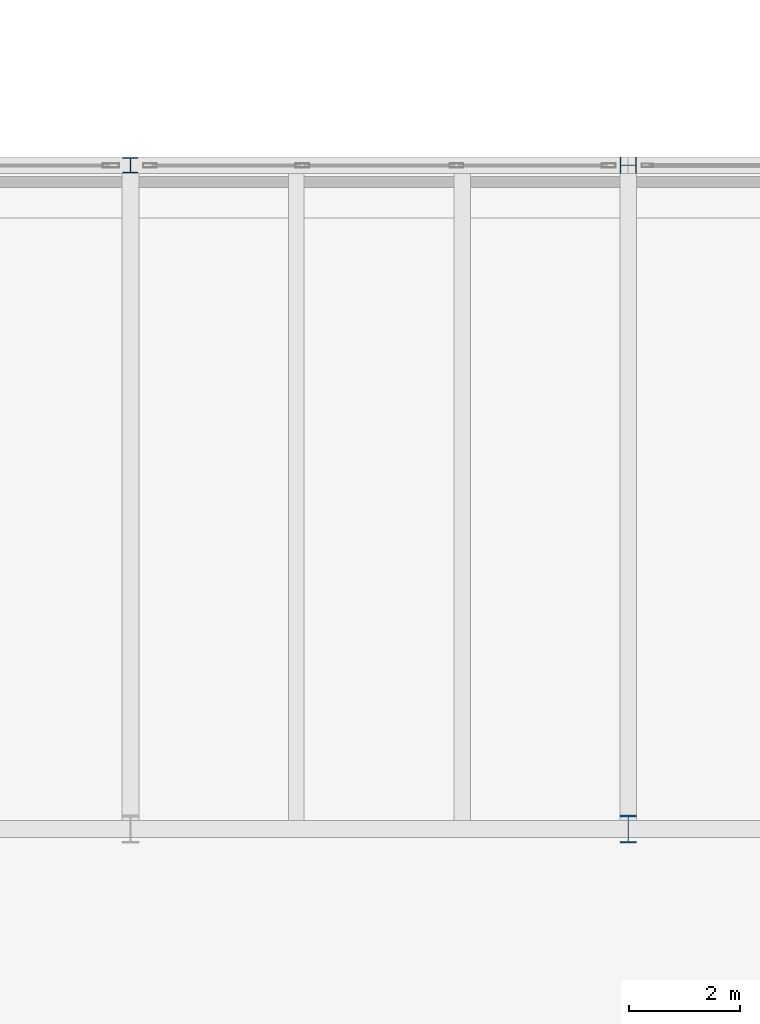
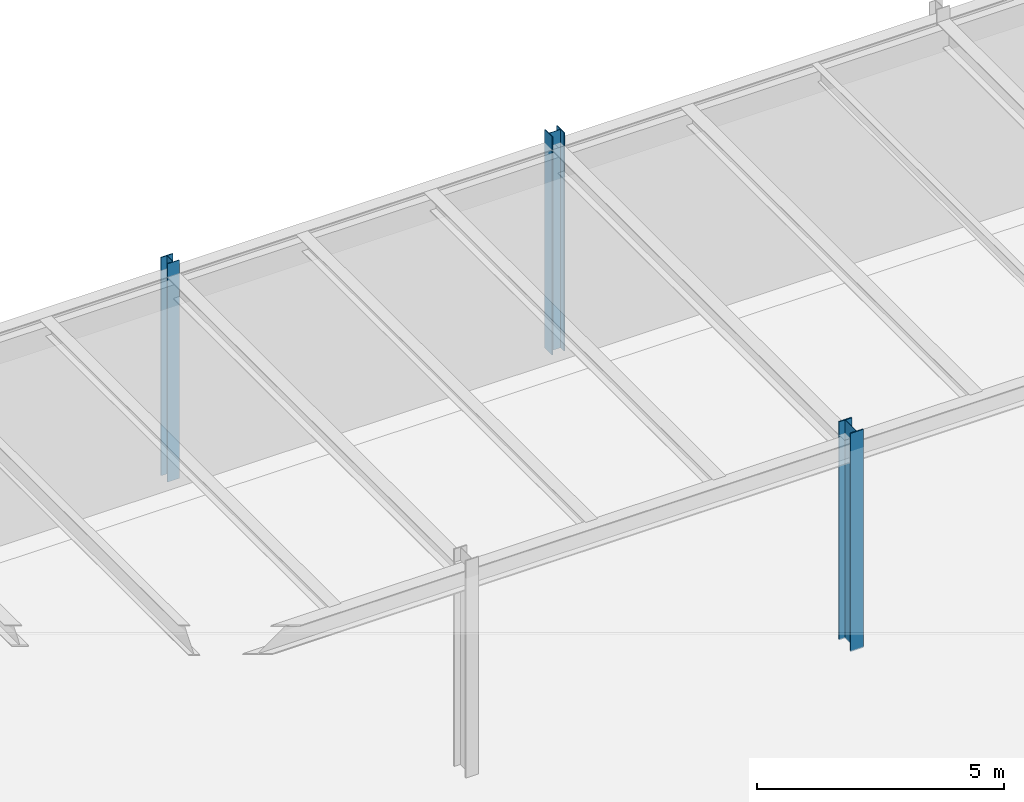
# One storey, part 11 of 143: 3 columns.
"""IFC4 building model written with IfcOpenShell, lengths in metres."""

import ifcopenshell
import ifcopenshell.guid

model = None  # the IFC model being written
_history = None  # IfcOwnerHistory: only IFC2X3 demands one
_inside = {}  # id of a spatial element -> (the spatial element, [elements in it])
_under = {}  # id of a project, library or spatial element -> (it, [spatial elements below it])
_declared = {}  # id of a project -> (the project, [libraries it declares])
_typed = {}  # id of a type object -> (the type object, [elements of that type])
_made_of = {}  # id of a material, layer set ... -> (it, [elements and type objects made of it])


def new_model(schema):
    """Start an empty IFC model of exactly this schema.

    Asked for "IFC4X3", IfcOpenShell would pick the latest addendum, in which some entities
    have other attributes; the version numbers below select the first issue.
    IFC2X3 requires an IfcOwnerHistory on every rooted entity: one is made here for all.
    """
    global model, _history
    if schema == "IFC4X3":
        model = ifcopenshell.file(schema_version=(4, 3, 0, 0))
    else:
        model = ifcopenshell.file(schema=schema)
    _inside.clear()
    _under.clear()
    _declared.clear()
    _typed.clear()
    _made_of.clear()
    _history = None
    if model.schema == "IFC2X3":
        org = make("IfcOrganization", Name="unknown")
        user = make(
            "IfcPersonAndOrganization",
            ThePerson=make("IfcPerson", FamilyName="unknown"),
            TheOrganization=org,
        )
        app = make(
            "IfcApplication",
            ApplicationDeveloper=org,
            Version="unknown",
            ApplicationFullName="unknown",
            ApplicationIdentifier="unknown",
        )
        _history = make(
            "IfcOwnerHistory",
            OwningUser=user,
            OwningApplication=app,
            ChangeAction="ADDED",
            CreationDate=0,
        )
    return model


def make(cls, **values):
    """One entity of the class cls with the attributes given. An attribute that is None is left unset."""
    return model.create_entity(
        cls, **{name: value for name, value in values.items() if value is not None}
    )


def rooted(cls, **values):
    """An entity with a GlobalId (a new one), such as an element, a storey or a relation."""
    return make(cls, GlobalId=ifcopenshell.guid.new(), OwnerHistory=_history, **values)


def si_unit(unit_type, name, prefix=None):
    """IfcSIUnit, for example si_unit("LENGTHUNIT", "METRE", prefix="MILLI")."""
    return make("IfcSIUnit", UnitType=unit_type, Prefix=prefix, Name=name)


def assignment(units):
    """IfcUnitAssignment: the units of a project."""
    return None if units is None else make("IfcUnitAssignment", Units=units)


def point(xyz):
    """IfcCartesianPoint."""
    return None if xyz is None else make("IfcCartesianPoint", Coordinates=xyz)


def direction(xyz):
    """IfcDirection."""
    return None if xyz is None else make("IfcDirection", DirectionRatios=xyz)


def frame(location, z_axis=None, x_axis=None):
    """IfcAxis2Placement3D, a coordinate frame: its origin and axes. An axis left out is left unset."""
    return make(
        "IfcAxis2Placement3D",
        Location=point(location),
        Axis=direction(z_axis),
        RefDirection=direction(x_axis),
    )


def frame_2d(location, x_axis=None):
    """IfcAxis2Placement2D, a coordinate frame in the plane: its origin and x axis."""
    return make(
        "IfcAxis2Placement2D", Location=point(location), RefDirection=direction(x_axis)
    )


def origin():
    """The frame at (0, 0, 0) with its axes left unset."""
    return frame((0.0, 0.0, 0.0))


def origin_2d():
    """The frame at (0, 0) in the plane with its x axis left unset."""
    return frame_2d((0.0, 0.0))


def place(relative_to, where):
    """IfcLocalPlacement: puts the frame where relative to a parent placement (None: the world)."""
    return make(
        "IfcLocalPlacement", PlacementRelTo=relative_to, RelativePlacement=where
    )


def context(
    kind, dimensions, precision=None, world=None, true_north=None, identifier=None
):
    """IfcGeometricRepresentationContext, for example the 3D "Model" context."""
    return make(
        "IfcGeometricRepresentationContext",
        ContextIdentifier=identifier,
        ContextType=kind,
        CoordinateSpaceDimension=dimensions,
        Precision=precision,
        WorldCoordinateSystem=world,
        TrueNorth=true_north,
    )


def subcontext(parent, identifier, kind, view, scale=None):
    """IfcGeometricRepresentationSubContext, for example "Body" below "Model"."""
    return make(
        "IfcGeometricRepresentationSubContext",
        ContextIdentifier=identifier,
        ContextType=kind,
        ParentContext=parent,
        TargetScale=scale,
        TargetView=view,
    )


def project(units=None, contexts=None):
    """IfcProject with its units and contexts."""
    return rooted(
        "IfcProject",
        Name="project",
        RepresentationContexts=contexts,
        UnitsInContext=assignment(units),
    )


def spatial(cls, under=None, at=None, **own):
    """A site, building, storey or space (cls), placed at a placement, below another one or the project."""
    s = rooted(cls, ObjectPlacement=at, **own)
    if under is not None:
        _under.setdefault(under.id(), (under, []))[1].append(s)
    return s


def profile(cls, at=None, kind="AREA", **sizes):
    """A parametric profile (cls). Its sizes go by their IFC names, for example OverallWidth=200.0."""
    return make(cls, ProfileType=kind, Position=at, **sizes)


def i_section(**sizes):
    """IfcIShapeProfileDef."""
    return profile("IfcIShapeProfileDef", **sizes)


def extrude(swept, where, along, depth):
    """IfcExtrudedAreaSolid: the profile swept, set in the frame where, extruded along a direction by depth."""
    return make(
        "IfcExtrudedAreaSolid",
        SweptArea=swept,
        Position=where,
        ExtrudedDirection=direction(along),
        Depth=depth,
    )


def shape(context_of_items, identifier, shape_type, items):
    """IfcShapeRepresentation: the items that make up one representation, for example the "Body"."""
    return make(
        "IfcShapeRepresentation",
        ContextOfItems=context_of_items,
        RepresentationIdentifier=identifier,
        RepresentationType=shape_type,
        Items=items,
    )


def material(Name=None, Category=None):
    """IfcMaterial."""
    return make("IfcMaterial", Name=Name, Category=Category)


def material_profile(
    of_material, cross_section, Name=None, Category=None, Priority=None
):
    """IfcMaterialProfile: a cross section and its material."""
    return make(
        "IfcMaterialProfile",
        Name=Name,
        Material=of_material,
        Profile=cross_section,
        Priority=Priority,
        Category=Category,
    )


def profile_set(profiles, Name=None, composite=None):
    """IfcMaterialProfileSet."""
    return make(
        "IfcMaterialProfileSet",
        Name=Name,
        MaterialProfiles=profiles,
        CompositeProfile=composite,
    )


def made_of(thing, what):
    """Note that an element or type object is made of a material, layer set ...; save() writes the relation."""
    if what is not None:
        _made_of.setdefault(what.id(), (what, []))[1].append(thing)
    return thing


def type_object(cls, material=None, **own):
    """A type object (cls), such as IfcWallType, which elements share."""
    return made_of(rooted(cls, **own), material)


def element(
    cls,
    number,
    at=None,
    inside=None,
    cuts=None,
    type_object=None,
    material=None,
    context=None,
    identifier="Body",
    shape_type=None,
    held_by="IfcProductDefinitionShape",
    body=None,
    shapes=None,
    **own,
):
    """One element of the class cls, such as IfcWall. Its Tag is "e" and its number.

    at: its placement. inside: the storey or other place that contains it. cuts: it is an
    opening in that element (IfcRelVoidsElement). A single representation is given by context,
    identifier, shape_type and body (its items); several are given by shapes. held_by: the class
    of the entity that holds the representations. save() writes the other relations.
    """
    e = rooted(cls, Tag="e%d" % number, ObjectPlacement=at, **own)
    if body is not None:
        shapes = [shape(context, identifier, shape_type, body)]
    if shapes is not None:
        e.Representation = make(held_by, Representations=shapes)
    if inside is not None:
        _inside.setdefault(inside.id(), (inside, []))[1].append(e)
    if cuts is not None:
        rooted(
            "IfcRelVoidsElement", RelatingBuildingElement=cuts, RelatedOpeningElement=e
        )
    if type_object is not None:
        _typed.setdefault(type_object.id(), (type_object, []))[1].append(e)
    return made_of(e, material)


def aggregate(whole, parts):
    """IfcRelAggregates: a whole, such as a stair, and the parts it consists of."""
    return rooted("IfcRelAggregates", RelatingObject=whole, RelatedObjects=parts)


def save(model, path):
    """Write the relations noted so far, then the file.

    IfcRelAggregates (storeys below a building ...), IfcRelContainedInSpatialStructure (elements
    in a storey), IfcRelDefinesByType, IfcRelAssociatesMaterial and IfcRelDeclares: one each for
    every whole, place, type object, material and project.
    """
    for whole, parts in _under.values():
        aggregate(whole, parts)
    for where, things in _inside.values():
        rooted(
            "IfcRelContainedInSpatialStructure",
            RelatedElements=things,
            RelatingStructure=where,
        )
    for kind, things in _typed.values():
        rooted("IfcRelDefinesByType", RelatedObjects=things, RelatingType=kind)
    for what, things in _made_of.values():
        rooted("IfcRelAssociatesMaterial", RelatedObjects=things, RelatingMaterial=what)
    for by, libraries in _declared.values():
        rooted("IfcRelDeclares", RelatingContext=by, RelatedDefinitions=libraries)
    model.write(path)


model = new_model("IFC4")

# Units and contexts
model_context = context("Model", 3, precision=1e-05, world=origin(), true_north=direction((0.0, 1.0)))
body_context = subcontext(model_context, "Body", "Model", "MODEL_VIEW")
ifc_project = project(units=[si_unit("LENGTHUNIT", "METRE"), si_unit("AREAUNIT", "SQUARE_METRE"), si_unit("VOLUMEUNIT", "CUBIC_METRE"), si_unit("PLANEANGLEUNIT", "RADIAN"), si_unit("MASSUNIT", "GRAM", prefix="KILO")], contexts=[model_context])

# Site, building, storey
site_placement = place(None, origin())
site = spatial("IfcSite", under=ifc_project, at=site_placement, CompositionType="ELEMENT")
building_placement = place(site_placement, origin())
building = spatial("IfcBuilding", under=site, at=building_placement, Name="Montelvaro Courts of Justice", CompositionType="ELEMENT")
storey_placement = place(building_placement, origin())
storey = spatial("IfcBuildingStorey", under=building, at=storey_placement, Name="L00", CompositionType="ELEMENT", Elevation=0.0)

# Columns
ifc_material = material(Name="Steel S355", Category="steel")
ifc_material_profile_1 = material_profile(ifc_material, i_section(OverallWidth=0.280029296875, OverallDepth=0.280029296875, WebThickness=0.010498046875, FlangeThickness=0.01806640625, at=origin_2d()), Name="HEB 280")
ifc_profile_set_1 = profile_set([ifc_material_profile_1], Name="Steel S355")
column_type_1 = type_object("IfcColumnType", Name="Col_HEB280", PredefinedType="COLUMN", material=ifc_profile_set_1)
column_1_placement = place(storey_placement, frame((54.0, 108.0, 0.0), z_axis=(0.0, 0.0, 1.0), x_axis=(1.0, 0.0, 0.0)))
element("IfcColumn", 1, at=column_1_placement, inside=storey, type_object=column_type_1, Name="Column C-02 L00 7/I", PredefinedType="COLUMN", context=body_context, shape_type="SweptSolid", body=[
    extrude(i_section(OverallWidth=0.280029296875, OverallDepth=0.280029296875, WebThickness=0.010498046875, FlangeThickness=0.01806640625, at=origin_2d()), origin(), (0.0, 0.0, 1.0), 5.39990234375),
])
ifc_material_profile_2 = material_profile(ifc_material, i_section(OverallWidth=0.300048828125, OverallDepth=0.300048828125, WebThickness=0.010986328125, FlangeThickness=0.01904296875, at=origin_2d()), Name="HEB 300")
ifc_profile_set_2 = profile_set([ifc_material_profile_2], Name="Steel S355")
column_type_2 = type_object("IfcColumnType", Name="Col_HEB300", PredefinedType="COLUMN", material=ifc_profile_set_2)
column_2_placement = place(storey_placement, frame((63.0, 108.0, 0.0), z_axis=(0.0, 0.0, 1.0), x_axis=(0.0, 1.0, 0.0)))
element("IfcColumn", 2, at=column_2_placement, inside=storey, type_object=column_type_2, Name="Column C-03 L00 8/I", PredefinedType="COLUMN", context=body_context, shape_type="SweptSolid", body=[
    extrude(i_section(OverallWidth=0.300048828125, OverallDepth=0.300048828125, WebThickness=0.010986328125, FlangeThickness=0.01904296875, at=origin_2d()), origin(), (0.0, 0.0, 1.0), 5.39990234375),
])
ifc_material_profile_3 = material_profile(ifc_material, i_section(OverallWidth=0.300048828125, OverallDepth=0.5, WebThickness=0.014404296875, FlangeThickness=0.028076171875, at=origin_2d()), Name="HEB 500")
ifc_profile_set_3 = profile_set([ifc_material_profile_3], Name="Steel S355")
column_type_3 = type_object("IfcColumnType", Name="Col_HEB500", PredefinedType="COLUMN", material=ifc_profile_set_3)
column_3_placement = place(storey_placement, frame((63.0, 96.0, 0.0), z_axis=(0.0, 0.0, 1.0), x_axis=(1.0, 0.0, 0.0)))
element("IfcColumn", 3, at=column_3_placement, inside=storey, type_object=column_type_3, Name="Column C-09 L00 8/H", PredefinedType="COLUMN", context=body_context, shape_type="SweptSolid", body=[
    extrude(i_section(OverallWidth=0.300048828125, OverallDepth=0.5, WebThickness=0.014404296875, FlangeThickness=0.028076171875, at=origin_2d()), origin(), (0.0, 0.0, 1.0), 5.39990234375),
])

save(model, "model.ifc")
